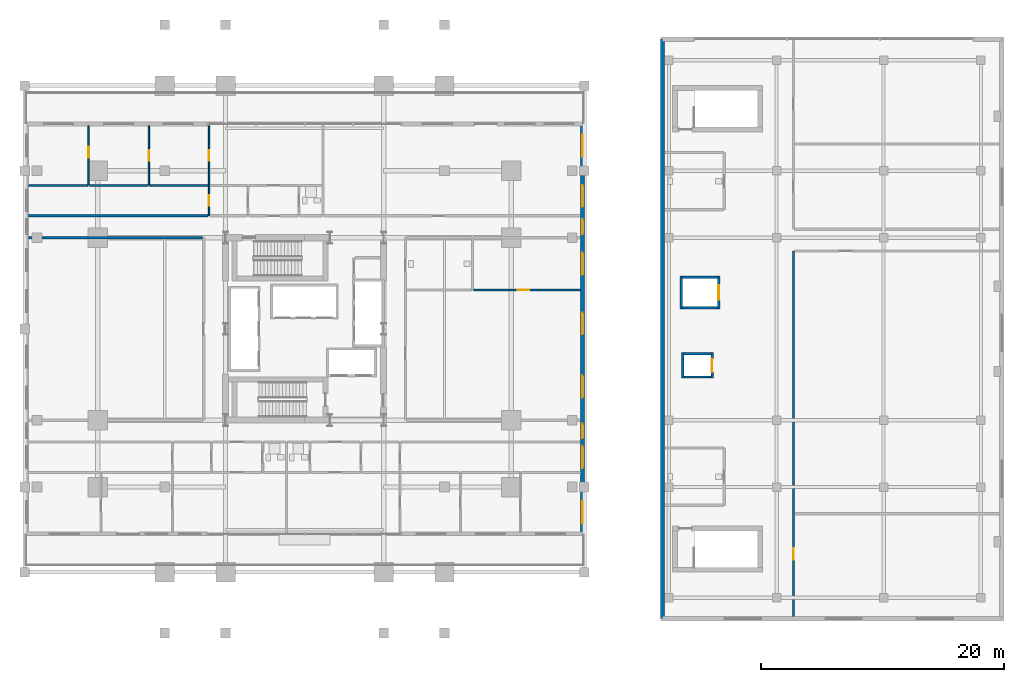
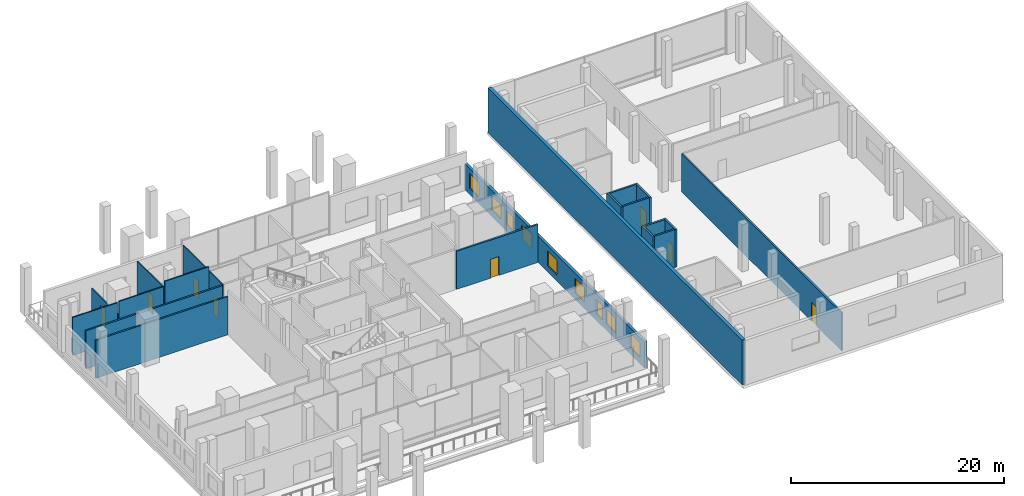
# One storey, part 19 of 25: 20 walls, 9 windows, 8 doors, 17 openings.
"""IFC4 building model written with IfcOpenShell, lengths in metres."""

from ifc_helpers import new_model, si_unit, direction, frame, frame_2d, origin, place, context, subcontext, project, spatial, rectangle, extrude, material, layer, layer_set, type_object, element, fill, save


model = new_model("IFC4")

# Units and contexts
model_context = context("Model", 3, precision=1e-05, world=origin(), true_north=direction((0.0, 1.0)))
body_context = subcontext(model_context, "Body", "Model", "MODEL_VIEW")
ifc_project = project(units=[si_unit("LENGTHUNIT", "METRE"), si_unit("AREAUNIT", "SQUARE_METRE"), si_unit("VOLUMEUNIT", "CUBIC_METRE"), si_unit("PLANEANGLEUNIT", "RADIAN"), si_unit("MASSUNIT", "GRAM", prefix="KILO")], contexts=[model_context])

# Site, building, storey
site_placement = place(None, origin())
site = spatial("IfcSite", under=ifc_project, at=site_placement, CompositionType="ELEMENT")
building_placement = place(site_placement, origin())
building = spatial("IfcBuilding", under=site, at=building_placement, Name="Barlavira Tower and Art Museum", CompositionType="ELEMENT")
storey_placement = place(building_placement, frame((0.0, 0.0, 22.199951171875)))
storey = spatial("IfcBuildingStorey", under=building, at=storey_placement, Name="L04", CompositionType="ELEMENT", Elevation=22.199951171875)

# Wall, opening, door
ifc_material_1 = material(Name="Gypsum acoustic stud partition", Category="gypsum")
ifc_layer_1 = layer(ifc_material_1, 0.1201171875, Name="Gypsum acoustic stud partition")
ifc_layer_set_1 = layer_set([ifc_layer_1], Name="Gypsum acoustic stud partition")
wall_type_1 = type_object("IfcWallType", Name="Apartment Internal Acoustic Partition 120", PredefinedType="PARTITIONING", material=ifc_layer_set_1)
wall_1_placement = place(storey_placement, frame((-17.75, 11.820068359375, 0.0), z_axis=(0.0, 0.0, 1.0), x_axis=(0.0, 1.0, 0.0)))
wall_1 = element("IfcWall", 1, at=wall_1_placement, inside=storey, type_object=wall_type_1, Name="L04 Partition Wall 1", PredefinedType="PARTITIONING", context=body_context, shape_type="SweptSolid", body=[
    extrude(rectangle(XDim=4.875, YDim=0.1201171875, at=frame_2d((2.4375, 0.0))), origin(), (0.0, 0.0, 1.0), 2.985107421875),
])
opening_1_placement = place(wall_1_placement, frame((2.25439453125, 0.0, 0.0)))
opening_1 = element("IfcOpeningElement", 2, at=opening_1_placement, cuts=wall_1, Name="Opening D-01", PredefinedType="OPENING", context=body_context, shape_type="SweptSolid", body=[
    extrude(rectangle(XDim=0.89990234375, YDim=2.10009765625, at=frame_2d((0.449951171875, 1.050048828125))), frame((0.0, 0.070068359375, 0.0), z_axis=(0.0, -1.0, 0.0), x_axis=(1.0, 0.0, 0.0)), (0.0, 0.0, 1.0), 0.14013671875),
])
ifc_material_2 = material(Name="Engineered coastal hardwood", Category="wood")
door_type_1 = type_object("IfcDoorType", Name="Internal Bedroom Timber Flush Door 900x2100", OperationType="NOTDEFINED", PredefinedType="DOOR", material=ifc_material_2)
door_1_placement = place(opening_1_placement, origin())
door_1 = element("IfcDoor", 3, at=door_1_placement, inside=storey, type_object=door_type_1, Name="Apartment P4-NW Sunroom Lounge 3 Door", OperationType="SINGLE_SWING_RIGHT", OverallHeight=2.10009765625, OverallWidth=0.89990234375, PredefinedType="DOOR", context=body_context, shape_type="SweptSolid", body=[
    extrude(rectangle(XDim=0.89990234375, YDim=2.10009765625, at=frame_2d((0.449951171875, 1.050048828125))), frame((0.0, 0.02490234375, 0.0), z_axis=(0.0, -1.0, 0.0), x_axis=(1.0, 0.0, 0.0)), (0.0, 0.0, 1.0), 0.050048828125),
])
fill(opening_1, door_1)

wall_2_placement = place(storey_placement, frame((-12.800048828125, 11.820068359375, 0.0), z_axis=(0.0, 0.0, 1.0), x_axis=(0.0, 1.0, 0.0)))
wall_2 = element("IfcWall", 4, at=wall_2_placement, inside=storey, type_object=wall_type_1, Name="L04 Partition Wall 3", PredefinedType="PARTITIONING", context=body_context, shape_type="SweptSolid", body=[
    extrude(rectangle(XDim=4.875, YDim=0.1201171875, at=frame_2d((2.4375, 0.0))), origin(), (0.0, 0.0, 1.0), 4.35595703125),
])
opening_2_placement = place(wall_2_placement, frame((1.989990234375, 0.0, 0.0)))
opening_2 = element("IfcOpeningElement", 5, at=opening_2_placement, cuts=wall_2, Name="Opening D-01", PredefinedType="OPENING", context=body_context, shape_type="SweptSolid", body=[
    extrude(rectangle(XDim=0.89990234375, YDim=2.10009765625, at=frame_2d((0.449951171875, 1.050048828125))), frame((0.0, 0.070068359375, 0.0), z_axis=(0.0, -1.0, 0.0), x_axis=(1.0, 0.0, 0.0)), (0.0, 0.0, 1.0), 0.14013671875),
])
door_2_placement = place(opening_2_placement, origin())
door_2 = element("IfcDoor", 6, at=door_2_placement, inside=storey, type_object=door_type_1, Name="Apartment P4-NW Bedroom 2 Door", OperationType="SINGLE_SWING_LEFT", OverallHeight=2.10009765625, OverallWidth=0.89990234375, PredefinedType="DOOR", context=body_context, shape_type="SweptSolid", body=[
    extrude(rectangle(XDim=0.89990234375, YDim=2.10009765625, at=frame_2d((0.449951171875, 1.050048828125))), frame((0.0, 0.02490234375, 0.0), z_axis=(0.0, -1.0, 0.0), x_axis=(1.0, 0.0, 0.0)), (0.0, 0.0, 1.0), 0.050048828125),
])
fill(opening_2, door_2)

# Wall, openings, doors
wall_3_placement = place(storey_placement, frame((-7.85009765625, 9.300048828125, 0.0), z_axis=(0.0, 0.0, 1.0), x_axis=(0.0, 1.0, 0.0)))
wall_3 = element("IfcWall", 7, at=wall_3_placement, inside=storey, type_object=wall_type_1, Name="L04 Partition Wall 6", PredefinedType="PARTITIONING", context=body_context, shape_type="SweptSolid", body=[
    extrude(rectangle(XDim=7.39501953125, YDim=0.1201171875, at=frame_2d((3.697509765625, 0.0))), origin(), (0.0, 0.0, 1.0), 4.43603515625),
])
opening_3_placement = place(wall_3_placement, frame((0.81005859375, 0.0, 0.0)))
opening_3 = element("IfcOpeningElement", 8, at=opening_3_placement, cuts=wall_3, Name="Opening D-01", PredefinedType="OPENING", context=body_context, shape_type="SweptSolid", body=[
    extrude(rectangle(XDim=0.89990234375, YDim=2.10009765625, at=frame_2d((0.449951171875, 1.050048828125))), frame((0.0, 0.070068359375, 0.0), z_axis=(0.0, -1.0, 0.0), x_axis=(1.0, 0.0, 0.0)), (0.0, 0.0, 1.0), 0.14013671875),
])
opening_4_placement = place(wall_3_placement, frame((4.510009765625, 0.0, 0.0)))
opening_4 = element("IfcOpeningElement", 9, at=opening_4_placement, cuts=wall_3, Name="Opening D-01", PredefinedType="OPENING", context=body_context, shape_type="SweptSolid", body=[
    extrude(rectangle(XDim=0.89990234375, YDim=2.10009765625, at=frame_2d((0.449951171875, 1.050048828125))), frame((0.0, 0.070068359375, 0.0), z_axis=(0.0, -1.0, 0.0), x_axis=(1.0, 0.0, 0.0)), (0.0, 0.0, 1.0), 0.14013671875),
])
door_3_placement = place(opening_3_placement, origin())
door_3 = element("IfcDoor", 10, at=door_3_placement, inside=storey, type_object=door_type_1, Name="Apartment P4-NW Walk-In Dressing Room Door", OperationType="SINGLE_SWING_RIGHT", OverallHeight=2.10009765625, OverallWidth=0.89990234375, PredefinedType="DOOR", context=body_context, shape_type="SweptSolid", body=[
    extrude(rectangle(XDim=0.89990234375, YDim=2.10009765625, at=frame_2d((0.449951171875, 1.050048828125))), frame((0.0, 0.02490234375, 0.0), z_axis=(0.0, -1.0, 0.0), x_axis=(1.0, 0.0, 0.0)), (0.0, 0.0, 1.0), 0.050048828125),
])
fill(opening_3, door_3)
door_4_placement = place(opening_4_placement, origin())
door_4 = element("IfcDoor", 11, at=door_4_placement, inside=storey, type_object=door_type_1, Name="Apartment P4-NW Bedroom 1 Door", OperationType="SINGLE_SWING_RIGHT", OverallHeight=2.10009765625, OverallWidth=0.89990234375, PredefinedType="DOOR", context=body_context, shape_type="SweptSolid", body=[
    extrude(rectangle(XDim=0.89990234375, YDim=2.10009765625, at=frame_2d((0.449951171875, 1.050048828125))), frame((0.0, 0.02490234375, 0.0), z_axis=(0.0, -1.0, 0.0), x_axis=(1.0, 0.0, 0.0)), (0.0, 0.0, 1.0), 0.050048828125),
])
fill(opening_4, door_4)

# Wall, opening, door
ifc_material_3 = material(Name="Autoclaved aerated concrete masonry", Category="masonry")
ifc_layer_2 = layer(ifc_material_3, 0.199951171875, Name="Autoclaved aerated concrete masonry")
ifc_layer_set_2 = layer_set([ifc_layer_2], Name="Autoclaved aerated concrete masonry")
wall_type_2 = type_object("IfcWallType", Name="Fire Compartment and Shaft Wall 200", PredefinedType="SOLIDWALL", material=ifc_layer_set_2)
wall_4_placement = place(storey_placement, frame((33.5, -4.050048828125, 0.0), z_axis=(0.0, 0.0, 1.0), x_axis=(0.0, 1.0, 0.0)))
wall_4 = element("IfcWall", 12, at=wall_4_placement, inside=storey, type_object=wall_type_2, Name="L04 Museum Lift ML1 Front Wall", PredefinedType="SOLIDWALL", context=body_context, shape_type="SweptSolid", body=[
    extrude(rectangle(XDim=2.10009765625, YDim=0.199951171875, at=frame_2d((1.050048828125, 0.0))), origin(), (0.0, 0.0, 1.0), 4.34716796875),
])
opening_5_placement = place(wall_4_placement, frame((0.5, 0.0, 0.0)))
opening_5 = element("IfcOpeningElement", 13, at=opening_5_placement, cuts=wall_4, Name="Opening LD-P", PredefinedType="OPENING", context=body_context, shape_type="SweptSolid", body=[
    extrude(rectangle(XDim=1.10009765625, YDim=2.14990234375, at=frame_2d((0.550048828125, 1.074951171875))), frame((0.0, 0.10986328125, 0.0), z_axis=(0.0, -1.0, 0.0), x_axis=(1.0, 0.0, 0.0)), (0.0, 0.0, 1.0), 0.219970703125),
])
ifc_material_4 = material(Name="Brushed stainless steel", Category="steel")
door_type_2 = type_object("IfcDoorType", Name="Passenger Lift Sliding Landing Door 1100x2150 FD60", OperationType="NOTDEFINED", PredefinedType="DOOR", material=ifc_material_4)
door_5_placement = place(opening_5_placement, origin())
door_5 = element("IfcDoor", 14, at=door_5_placement, inside=storey, type_object=door_type_2, Name="L04 Museum Lift ML1 Sliding Landing Door", OperationType="DOUBLE_DOOR_SLIDING", OverallHeight=2.14990234375, OverallWidth=1.10009765625, PredefinedType="DOOR", context=body_context, shape_type="SweptSolid", body=[
    extrude(rectangle(XDim=1.10009765625, YDim=2.14990234375, at=frame_2d((0.550048828125, 1.074951171875))), frame((0.0, 0.02490234375, 0.0), z_axis=(0.0, -1.0, 0.0), x_axis=(1.0, 0.0, 0.0)), (0.0, 0.0, 1.0), 0.050048828125),
])
fill(opening_5, door_5)

# Walls
wall_5_placement = place(storey_placement, frame((31.10009765625, -4.050048828125, 0.0), z_axis=(0.0, 0.0, 1.0), x_axis=(0.0, 1.0, 0.0)))
element("IfcWall", 15, at=wall_5_placement, inside=storey, type_object=wall_type_2, Name="L04 Museum Lift ML1 Back Wall", PredefinedType="SOLIDWALL", context=body_context, shape_type="SweptSolid", body=[
    extrude(rectangle(XDim=2.10009765625, YDim=0.199951171875, at=frame_2d((1.050048828125, 0.0))), origin(), (0.0, 0.0, 1.0), 4.34716796875),
])
for number, where, z_axis, x_axis, name in (
    (16, (31.199951171875, -3.949951171875, 0.0), (0.0, 0.0, 1.0), (1.0, 0.0, 0.0), "L04 Museum Lift ML1 South Wall"),
    (17, (31.199951171875, -2.050048828125, 0.0), (0.0, 0.0, 1.0), (1.0, 0.0, 0.0), "L04 Museum Lift ML1 North Wall"),
):
    element("IfcWall", number, at=place(storey_placement, frame(where, z_axis=z_axis, x_axis=x_axis)), inside=storey, type_object=wall_type_2, Name=name, PredefinedType="SOLIDWALL", context=body_context, shape_type="SweptSolid", body=[
        extrude(rectangle(XDim=2.199951171875, YDim=0.199951171875, at=frame_2d((1.10009765625, 0.0))), origin(), (0.0, 0.0, 1.0), 4.34716796875),
    ])

# Wall, opening, door
wall_6_placement = place(storey_placement, frame((34.050048828125, 1.64990234375, 0.0), z_axis=(0.0, 0.0, 1.0), x_axis=(0.0, 1.0, 0.0)))
wall_6 = element("IfcWall", 18, at=wall_6_placement, inside=storey, type_object=wall_type_2, Name="L04 Museum Lift MG1 Front Wall", PredefinedType="SOLIDWALL", context=body_context, shape_type="SweptSolid", body=[
    extrude(rectangle(XDim=2.7001953125, YDim=0.199951171875, at=frame_2d((1.35009765625, 0.0))), origin(), (0.0, 0.0, 1.0), 4.34716796875),
])
opening_6_placement = place(wall_6_placement, frame((0.75, 0.0, 0.0)))
opening_6 = element("IfcOpeningElement", 19, at=opening_6_placement, cuts=wall_6, Name="Opening LD-F", PredefinedType="OPENING", context=body_context, shape_type="SweptSolid", body=[
    extrude(rectangle(XDim=1.199951171875, YDim=2.199951171875, at=frame_2d((0.60009765625, 1.10009765625))), frame((0.0, 0.10986328125, 0.0), z_axis=(0.0, -1.0, 0.0), x_axis=(1.0, 0.0, 0.0)), (0.0, 0.0, 1.0), 0.219970703125),
])
door_type_3 = type_object("IfcDoorType", Name="Firefighting and Service Lift Sliding Door 1200x2200 FD120", OperationType="NOTDEFINED", PredefinedType="DOOR", material=ifc_material_4)
door_6_placement = place(opening_6_placement, origin())
door_6 = element("IfcDoor", 20, at=door_6_placement, inside=storey, type_object=door_type_3, Name="L04 Museum Lift MG1 Sliding Landing Door", OperationType="DOUBLE_DOOR_SLIDING", OverallHeight=2.199951171875, OverallWidth=1.199951171875, PredefinedType="DOOR", context=body_context, shape_type="SweptSolid", body=[
    extrude(rectangle(XDim=1.199951171875, YDim=2.199951171875, at=frame_2d((0.60009765625, 1.10009765625))), frame((0.0, 0.02490234375, 0.0), z_axis=(0.0, -1.0, 0.0), x_axis=(1.0, 0.0, 0.0)), (0.0, 0.0, 1.0), 0.050048828125),
])
fill(opening_6, door_6)

# Walls
wall_7_placement = place(storey_placement, frame((30.949951171875, 1.64990234375, 0.0), z_axis=(0.0, 0.0, 1.0), x_axis=(0.0, 1.0, 0.0)))
element("IfcWall", 21, at=wall_7_placement, inside=storey, type_object=wall_type_2, Name="L04 Museum Lift MG1 Back Wall", PredefinedType="SOLIDWALL", context=body_context, shape_type="SweptSolid", body=[
    extrude(rectangle(XDim=2.7001953125, YDim=0.199951171875, at=frame_2d((1.35009765625, 0.0))), origin(), (0.0, 0.0, 1.0), 4.34716796875),
])
for number, where, z_axis, x_axis, name in (
    (22, (31.050048828125, 1.75, 0.0), (0.0, 0.0, 1.0), (1.0, 0.0, 0.0), "L04 Museum Lift MG1 South Wall"),
    (23, (31.050048828125, 4.25, 0.0), (0.0, 0.0, 1.0), (1.0, 0.0, 0.0), "L04 Museum Lift MG1 North Wall"),
):
    element("IfcWall", number, at=place(storey_placement, frame(where, z_axis=z_axis, x_axis=x_axis)), inside=storey, type_object=wall_type_2, Name=name, PredefinedType="SOLIDWALL", context=body_context, shape_type="SweptSolid", body=[
        extrude(rectangle(XDim=2.89990234375, YDim=0.199951171875, at=frame_2d((1.449951171875, 0.0))), origin(), (0.0, 0.0, 1.0), 4.34716796875),
    ])

# Wall, opening, door
wall_8_placement = place(storey_placement, frame((13.8798828125, 3.199951171875, 0.0), z_axis=(0.0, 0.0, 1.0), x_axis=(1.0, 0.0, 0.0)))
wall_8 = element("IfcWall", 24, at=wall_8_placement, inside=storey, type_object=wall_type_2, Name="L04 Partition Wall 50", PredefinedType="SOLIDWALL", context=body_context, shape_type="SweptSolid", body=[
    extrude(rectangle(XDim=8.815185546875, YDim=0.199951171875, at=frame_2d((4.40771484375, 0.0))), origin(), (0.0, 0.0, 1.0), 4.35595703125),
])
opening_7_placement = place(wall_8_placement, frame((3.64501953125, 0.0, 0.0)))
opening_7 = element("IfcOpeningElement", 25, at=opening_7_placement, cuts=wall_8, Name="Opening FD-60", PredefinedType="OPENING", context=body_context, shape_type="SweptSolid", body=[
    extrude(rectangle(XDim=0.949951171875, YDim=2.14990234375, at=frame_2d((0.47509765625, 1.074951171875))), frame((0.0, 0.10986328125, 0.0), z_axis=(0.0, -1.0, 0.0), x_axis=(1.0, 0.0, 0.0)), (0.0, 0.0, 1.0), 0.219970703125),
])
door_type_4 = type_object("IfcDoorType", Name="Apartment Entrance and Riser Fire Door 950x2150 FD60S", OperationType="NOTDEFINED", PredefinedType="DOOR", material=ifc_material_4)
door_7_placement = place(opening_7_placement, origin())
door_7 = element("IfcDoor", 26, at=door_7_placement, inside=storey, type_object=door_type_4, Name="L04 Podium Amenity Store Door", OperationType="SINGLE_SWING_LEFT", OverallHeight=2.14990234375, OverallWidth=0.949951171875, PredefinedType="DOOR", context=body_context, shape_type="SweptSolid", body=[
    extrude(rectangle(XDim=0.949951171875, YDim=2.14990234375, at=frame_2d((0.47509765625, 1.074951171875))), frame((0.0, 0.02490234375, 0.0), z_axis=(0.0, -1.0, 0.0), x_axis=(1.0, 0.0, 0.0)), (0.0, 0.0, 1.0), 0.050048828125),
])
fill(opening_7, door_7)

ifc_layer_3 = layer(ifc_material_1, 0.179931640625, Name="Gypsum acoustic stud partition")
ifc_layer_set_3 = layer_set([ifc_layer_3], Name="Gypsum acoustic stud partition")
wall_type_3 = type_object("IfcWallType", Name="Inter-Tenancy Party Partition Wall 180", PredefinedType="PARTITIONING", material=ifc_layer_set_3)
wall_9_placement = place(storey_placement, frame((40.199951171875, -23.64501953125, 0.0), z_axis=(0.0, 0.0, 1.0), x_axis=(0.0, 1.0, 0.0)))
wall_9 = element("IfcWall", 27, at=wall_9_placement, inside=storey, type_object=wall_type_3, Name="L04 Partition Wall 23", PredefinedType="PARTITIONING", context=body_context, shape_type="SweptSolid", body=[
    extrude(rectangle(XDim=30.044921875, YDim=0.179931640625, at=frame_2d((15.0224609375, 0.0))), origin(), (0.0, 0.0, 1.0), 4.34716796875),
])
opening_8_placement = place(wall_9_placement, frame((4.669921875, 0.0, 0.0)))
opening_8 = element("IfcOpeningElement", 28, at=opening_8_placement, cuts=wall_9, Name="Opening FD-60", PredefinedType="OPENING", context=body_context, shape_type="SweptSolid", body=[
    extrude(rectangle(XDim=0.949951171875, YDim=2.14990234375, at=frame_2d((0.47509765625, 1.074951171875))), frame((0.0, 0.10009765625, 0.0), z_axis=(0.0, -1.0, 0.0), x_axis=(1.0, 0.0, 0.0)), (0.0, 0.0, 1.0), 0.199951171875),
])
door_8_placement = place(opening_8_placement, origin())
door_8 = element("IfcDoor", 29, at=door_8_placement, inside=storey, type_object=door_type_4, Name="L04 Curatorial Members Dining Room Door", OperationType="SINGLE_SWING_LEFT", OverallHeight=2.14990234375, OverallWidth=0.949951171875, PredefinedType="DOOR", context=body_context, shape_type="SweptSolid", body=[
    extrude(rectangle(XDim=0.949951171875, YDim=2.14990234375, at=frame_2d((0.47509765625, 1.074951171875))), frame((0.0, 0.02490234375, 0.0), z_axis=(0.0, -1.0, 0.0), x_axis=(1.0, 0.0, 0.0)), (0.0, 0.0, 1.0), 0.050048828125),
])
fill(opening_8, door_8)

# Walls
wall_10_placement = place(storey_placement, frame((-22.695068359375, 7.5, 0.0), z_axis=(0.0, 0.0, 1.0), x_axis=(1.0, 0.0, 0.0)))
element("IfcWall", 30, at=wall_10_placement, inside=storey, type_object=wall_type_3, Name="L04 Partition Wall 53", PredefinedType="PARTITIONING", context=body_context, shape_type="SweptSolid", body=[
    extrude(rectangle(XDim=14.315185546875, YDim=0.179931640625, at=frame_2d((7.15771484375, 0.0))), origin(), (0.0, 0.0, 1.0), 4.35595703125),
])
wall_11_placement = place(storey_placement, frame((-22.695068359375, 9.300048828125, 0.0), z_axis=(0.0, 0.0, 1.0), x_axis=(1.0, 0.0, 0.0)))
element("IfcWall", 31, at=wall_11_placement, inside=storey, type_object=wall_type_3, Name="L04 Partition Wall 57", PredefinedType="PARTITIONING", context=body_context, shape_type="SweptSolid", body=[
    extrude(rectangle(XDim=14.76513671875, YDim=0.179931640625, at=frame_2d((7.382568359375, 0.0))), origin(), (0.0, 0.0, 1.0), 4.35595703125),
])
ifc_layer_4 = layer(ifc_material_1, 0.139892578125, Name="Gypsum acoustic stud partition")
ifc_layer_set_4 = layer_set([ifc_layer_4], Name="Gypsum acoustic stud partition")
wall_type_4 = type_object("IfcWallType", Name="Moisture-Resistant Bathroom Partition 140", PredefinedType="PARTITIONING", material=ifc_layer_set_4)
wall_12_placement = place(storey_placement, frame((-22.695068359375, 11.800048828125, 0.0), z_axis=(0.0, 0.0, 1.0), x_axis=(1.0, 0.0, 0.0)))
element("IfcWall", 32, at=wall_12_placement, inside=storey, type_object=wall_type_4, Name="L04 Partition Wall 63", PredefinedType="PARTITIONING", context=body_context, shape_type="SweptSolid", body=[
    extrude(rectangle(XDim=4.864990234375, YDim=0.139892578125, at=frame_2d((2.4326171875, 0.0))), origin(), (0.0, 0.0, 1.0), 4.35595703125),
])
wall_13_placement = place(storey_placement, frame((-17.669921875, 11.800048828125, 0.0), z_axis=(0.0, 0.0, 1.0), x_axis=(1.0, 0.0, 0.0)))
element("IfcWall", 33, at=wall_13_placement, inside=storey, type_object=wall_type_4, Name="L04 Partition Wall 64", PredefinedType="PARTITIONING", context=body_context, shape_type="SweptSolid", body=[
    extrude(rectangle(XDim=4.7900390625, YDim=0.139892578125, at=frame_2d((2.39501953125, 0.0))), origin(), (0.0, 0.0, 1.0), 4.43603515625),
])
wall_14_placement = place(storey_placement, frame((-12.719970703125, 11.800048828125, 0.0), z_axis=(0.0, 0.0, 1.0), x_axis=(1.0, 0.0, 0.0)))
element("IfcWall", 34, at=wall_14_placement, inside=storey, type_object=wall_type_4, Name="L04 Partition Wall 65", PredefinedType="PARTITIONING", context=body_context, shape_type="SweptSolid", body=[
    extrude(rectangle(XDim=4.7900390625, YDim=0.139892578125, at=frame_2d((2.39501953125, 0.0))), origin(), (0.0, 0.0, 1.0), 5.0),
])
ifc_material_5 = material(Name="Precast concrete C40", Category="concrete")
ifc_layer_5 = layer(ifc_material_5, 0.35009765625, Name="Precast concrete C40")
ifc_layer_set_5 = layer_set([ifc_layer_5], Name="Precast concrete C40")
wall_type_5 = type_object("IfcWallType", Name="Museum Board-Formed Concrete Facade Wall 350 Concrete C40", PredefinedType="SOLIDWALL", material=ifc_layer_set_5)
wall_15_placement = place(storey_placement, frame((29.425048828125, 23.824951171875, 0.0), z_axis=(0.0, 0.0, 1.0), x_axis=(0.0, -1.0, 0.0)))
element("IfcWall", 35, at=wall_15_placement, inside=storey, type_object=wall_type_5, Name="L04 Museum West Arcade Wall", PredefinedType="SOLIDWALL", context=body_context, shape_type="SweptSolid", body=[
    extrude(rectangle(XDim=47.64990234375, YDim=0.35009765625, at=frame_2d((23.824951171875, 0.0))), origin(), (0.0, 0.0, 1.0), 5.130126953125),
])

# Wall, openings, windows
ifc_layer_6 = layer(ifc_material_5, 0.300048828125, Name="Precast concrete C40")
ifc_layer_set_6 = layer_set([ifc_layer_6], Name="Precast concrete C40")
wall_type_6 = type_object("IfcWallType", Name="Podium Architectural Precast Facade Wall 300 Concrete C40", PredefinedType="SOLIDWALL", material=ifc_layer_set_6)
wall_16_placement = place(storey_placement, frame((22.85009765625, -16.85009765625, 0.0), z_axis=(0.0, 0.0, 1.0), x_axis=(0.0, 1.0, 0.0)))
wall_16 = element("IfcWall", 36, at=wall_16_placement, inside=storey, type_object=wall_type_6, Name="L04 Podium East Facade Wall", PredefinedType="SOLIDWALL", context=body_context, shape_type="SweptSolid", body=[
    extrude(rectangle(XDim=33.7001953125, YDim=0.300048828125, at=frame_2d((16.85009765625, 0.0))), origin(), (0.0, 0.0, 1.0), 2.985107421875),
])
opening_9_placement = place(wall_16_placement, frame((0.8798828125, 0.0, 0.719970703125)))
opening_9 = element("IfcOpeningElement", 37, at=opening_9_placement, cuts=wall_16, Name="Opening WN-01", PredefinedType="OPENING", context=body_context, shape_type="SweptSolid", body=[
    extrude(rectangle(XDim=1.800048828125, YDim=1.679931640625, at=frame_2d((0.89990234375, 0.83984375))), frame((0.0, 0.16015625, 0.0), z_axis=(0.0, -1.0, 0.0), x_axis=(1.0, 0.0, 0.0)), (0.0, 0.0, 1.0), 0.320068359375),
])
opening_10_placement = place(wall_16_placement, frame((5.389892578125, 0.0, 0.719970703125)))
opening_10 = element("IfcOpeningElement", 38, at=opening_10_placement, cuts=wall_16, Name="Opening WN-01", PredefinedType="OPENING", context=body_context, shape_type="SweptSolid", body=[
    extrude(rectangle(XDim=1.800048828125, YDim=1.679931640625, at=frame_2d((0.89990234375, 0.83984375))), frame((0.0, 0.16015625, 0.0), z_axis=(0.0, -1.0, 0.0), x_axis=(1.0, 0.0, 0.0)), (0.0, 0.0, 1.0), 0.320068359375),
])
opening_11_placement = place(wall_16_placement, frame((7.85009765625, 0.0, 0.719970703125)))
opening_11 = element("IfcOpeningElement", 39, at=opening_11_placement, cuts=wall_16, Name="Opening WN-05", PredefinedType="OPENING", context=body_context, shape_type="SweptSolid", body=[
    extrude(rectangle(XDim=1.199951171875, YDim=1.679931640625, at=frame_2d((0.60009765625, 0.83984375))), frame((0.0, 0.16015625, 0.0), z_axis=(0.0, -1.0, 0.0), x_axis=(1.0, 0.0, 0.0)), (0.0, 0.0, 1.0), 0.320068359375),
])
opening_12_placement = place(wall_16_placement, frame((11.205078125, 0.0, 0.719970703125)))
opening_12 = element("IfcOpeningElement", 40, at=opening_12_placement, cuts=wall_16, Name="Opening WN-01", PredefinedType="OPENING", context=body_context, shape_type="SweptSolid", body=[
    extrude(rectangle(XDim=1.800048828125, YDim=1.679931640625, at=frame_2d((0.89990234375, 0.83984375))), frame((0.0, 0.16015625, 0.0), z_axis=(0.0, -1.0, 0.0), x_axis=(1.0, 0.0, 0.0)), (0.0, 0.0, 1.0), 0.320068359375),
])
opening_13_placement = place(wall_16_placement, frame((16.39501953125, 0.0, 0.719970703125)))
opening_13 = element("IfcOpeningElement", 41, at=opening_13_placement, cuts=wall_16, Name="Opening WN-01", PredefinedType="OPENING", context=body_context, shape_type="SweptSolid", body=[
    extrude(rectangle(XDim=1.800048828125, YDim=1.679931640625, at=frame_2d((0.89990234375, 0.83984375))), frame((0.0, 0.16015625, 0.0), z_axis=(0.0, -1.0, 0.0), x_axis=(1.0, 0.0, 0.0)), (0.0, 0.0, 1.0), 0.320068359375),
])
opening_14_placement = place(wall_16_placement, frame((21.300048828125, 0.0, 0.719970703125)))
opening_14 = element("IfcOpeningElement", 42, at=opening_14_placement, cuts=wall_16, Name="Opening WN-01", PredefinedType="OPENING", context=body_context, shape_type="SweptSolid", body=[
    extrude(rectangle(XDim=1.800048828125, YDim=1.679931640625, at=frame_2d((0.89990234375, 0.83984375))), frame((0.0, 0.16015625, 0.0), z_axis=(0.0, -1.0, 0.0), x_axis=(1.0, 0.0, 0.0)), (0.0, 0.0, 1.0), 0.320068359375),
])
opening_15_placement = place(wall_16_placement, frame((24.64990234375, 0.0, 0.719970703125)))
opening_15 = element("IfcOpeningElement", 43, at=opening_15_placement, cuts=wall_16, Name="Opening WN-05", PredefinedType="OPENING", context=body_context, shape_type="SweptSolid", body=[
    extrude(rectangle(XDim=1.199951171875, YDim=1.679931640625, at=frame_2d((0.60009765625, 0.83984375))), frame((0.0, 0.16015625, 0.0), z_axis=(0.0, -1.0, 0.0), x_axis=(1.0, 0.0, 0.0)), (0.0, 0.0, 1.0), 0.320068359375),
])
opening_16_placement = place(wall_16_placement, frame((26.8798828125, 0.0, 0.719970703125)))
opening_16 = element("IfcOpeningElement", 44, at=opening_16_placement, cuts=wall_16, Name="Opening WN-01", PredefinedType="OPENING", context=body_context, shape_type="SweptSolid", body=[
    extrude(rectangle(XDim=1.800048828125, YDim=1.679931640625, at=frame_2d((0.89990234375, 0.83984375))), frame((0.0, 0.16015625, 0.0), z_axis=(0.0, -1.0, 0.0), x_axis=(1.0, 0.0, 0.0)), (0.0, 0.0, 1.0), 0.320068359375),
])
opening_17_placement = place(wall_16_placement, frame((31.02001953125, 0.0, 0.719970703125)))
opening_17 = element("IfcOpeningElement", 45, at=opening_17_placement, cuts=wall_16, Name="Opening WN-01", PredefinedType="OPENING", context=body_context, shape_type="SweptSolid", body=[
    extrude(rectangle(XDim=1.800048828125, YDim=1.679931640625, at=frame_2d((0.89990234375, 0.83984375))), frame((0.0, 0.16015625, 0.0), z_axis=(0.0, -1.0, 0.0), x_axis=(1.0, 0.0, 0.0)), (0.0, 0.0, 1.0), 0.320068359375),
])
ifc_material_6 = material(Name="Low-iron coastal laminated glass", Category="glass")
window_type_1 = type_object("IfcWindowType", Name="Recessed Flank Pier Punch Window 1200x1680", PartitioningType="SINGLE_PANEL", PredefinedType="WINDOW", material=ifc_material_6)
window_1_placement = place(opening_11_placement, origin())
window_1 = element("IfcWindow", 46, at=window_1_placement, inside=storey, type_object=window_type_1, Name="L04 Punched Facade Window EW-L04-E-3", OverallHeight=1.679931640625, OverallWidth=1.199951171875, PartitioningType="SINGLE_PANEL", PredefinedType="WINDOW", context=body_context, shape_type="SweptSolid", body=[
    extrude(rectangle(XDim=1.199951171875, YDim=1.679931640625, at=frame_2d((0.60009765625, 0.83984375))), frame((0.0, 0.030029296875, 0.0), z_axis=(0.0, -1.0, 0.0), x_axis=(1.0, 0.0, 0.0)), (0.0, 0.0, 1.0), 0.06005859375),
])
fill(opening_11, window_1)
window_2_placement = place(opening_15_placement, origin())
window_2 = element("IfcWindow", 47, at=window_2_placement, inside=storey, type_object=window_type_1, Name="L04 Punched Facade Window EW-L04-E-7", OverallHeight=1.679931640625, OverallWidth=1.199951171875, PartitioningType="SINGLE_PANEL", PredefinedType="WINDOW", context=body_context, shape_type="SweptSolid", body=[
    extrude(rectangle(XDim=1.199951171875, YDim=1.679931640625, at=frame_2d((0.60009765625, 0.83984375))), frame((0.0, 0.030029296875, 0.0), z_axis=(0.0, -1.0, 0.0), x_axis=(1.0, 0.0, 0.0)), (0.0, 0.0, 1.0), 0.06005859375),
])
fill(opening_15, window_2)
window_type_2 = type_object("IfcWindowType", Name="Recessed Notch Corner Punch Window 1800x1680", PartitioningType="SINGLE_PANEL", PredefinedType="WINDOW", material=ifc_material_6)
window_3_placement = place(opening_9_placement, origin())
window_3 = element("IfcWindow", 48, at=window_3_placement, inside=storey, type_object=window_type_2, Name="L04 Punched Facade Window EW-L04-E-1", OverallHeight=1.679931640625, OverallWidth=1.800048828125, PartitioningType="SINGLE_PANEL", PredefinedType="WINDOW", context=body_context, shape_type="SweptSolid", body=[
    extrude(rectangle(XDim=1.800048828125, YDim=1.679931640625, at=frame_2d((0.89990234375, 0.83984375))), frame((0.0, 0.030029296875, 0.0), z_axis=(0.0, -1.0, 0.0), x_axis=(1.0, 0.0, 0.0)), (0.0, 0.0, 1.0), 0.06005859375),
])
fill(opening_9, window_3)
window_4_placement = place(opening_10_placement, origin())
window_4 = element("IfcWindow", 49, at=window_4_placement, inside=storey, type_object=window_type_2, Name="L04 Punched Facade Window EW-L04-E-2", OverallHeight=1.679931640625, OverallWidth=1.800048828125, PartitioningType="SINGLE_PANEL", PredefinedType="WINDOW", context=body_context, shape_type="SweptSolid", body=[
    extrude(rectangle(XDim=1.800048828125, YDim=1.679931640625, at=frame_2d((0.89990234375, 0.83984375))), frame((0.0, 0.030029296875, 0.0), z_axis=(0.0, -1.0, 0.0), x_axis=(1.0, 0.0, 0.0)), (0.0, 0.0, 1.0), 0.06005859375),
])
fill(opening_10, window_4)
window_5_placement = place(opening_12_placement, origin())
window_5 = element("IfcWindow", 50, at=window_5_placement, inside=storey, type_object=window_type_2, Name="L04 Punched Facade Window EW-L04-E-4", OverallHeight=1.679931640625, OverallWidth=1.800048828125, PartitioningType="SINGLE_PANEL", PredefinedType="WINDOW", context=body_context, shape_type="SweptSolid", body=[
    extrude(rectangle(XDim=1.800048828125, YDim=1.679931640625, at=frame_2d((0.89990234375, 0.83984375))), frame((0.0, 0.030029296875, 0.0), z_axis=(0.0, -1.0, 0.0), x_axis=(1.0, 0.0, 0.0)), (0.0, 0.0, 1.0), 0.06005859375),
])
fill(opening_12, window_5)
window_6_placement = place(opening_13_placement, origin())
window_6 = element("IfcWindow", 51, at=window_6_placement, inside=storey, type_object=window_type_2, Name="L04 Punched Facade Window EW-L04-E-5", OverallHeight=1.679931640625, OverallWidth=1.800048828125, PartitioningType="SINGLE_PANEL", PredefinedType="WINDOW", context=body_context, shape_type="SweptSolid", body=[
    extrude(rectangle(XDim=1.800048828125, YDim=1.679931640625, at=frame_2d((0.89990234375, 0.83984375))), frame((0.0, 0.030029296875, 0.0), z_axis=(0.0, -1.0, 0.0), x_axis=(1.0, 0.0, 0.0)), (0.0, 0.0, 1.0), 0.06005859375),
])
fill(opening_13, window_6)
window_7_placement = place(opening_14_placement, origin())
window_7 = element("IfcWindow", 52, at=window_7_placement, inside=storey, type_object=window_type_2, Name="L04 Punched Facade Window EW-L04-E-6", OverallHeight=1.679931640625, OverallWidth=1.800048828125, PartitioningType="SINGLE_PANEL", PredefinedType="WINDOW", context=body_context, shape_type="SweptSolid", body=[
    extrude(rectangle(XDim=1.800048828125, YDim=1.679931640625, at=frame_2d((0.89990234375, 0.83984375))), frame((0.0, 0.030029296875, 0.0), z_axis=(0.0, -1.0, 0.0), x_axis=(1.0, 0.0, 0.0)), (0.0, 0.0, 1.0), 0.06005859375),
])
fill(opening_14, window_7)
window_8_placement = place(opening_16_placement, origin())
window_8 = element("IfcWindow", 53, at=window_8_placement, inside=storey, type_object=window_type_2, Name="L04 Punched Facade Window EW-L04-E-8", OverallHeight=1.679931640625, OverallWidth=1.800048828125, PartitioningType="SINGLE_PANEL", PredefinedType="WINDOW", context=body_context, shape_type="SweptSolid", body=[
    extrude(rectangle(XDim=1.800048828125, YDim=1.679931640625, at=frame_2d((0.89990234375, 0.83984375))), frame((0.0, 0.030029296875, 0.0), z_axis=(0.0, -1.0, 0.0), x_axis=(1.0, 0.0, 0.0)), (0.0, 0.0, 1.0), 0.06005859375),
])
fill(opening_16, window_8)
window_9_placement = place(opening_17_placement, origin())
window_9 = element("IfcWindow", 54, at=window_9_placement, inside=storey, type_object=window_type_2, Name="L04 Punched Facade Window EW-L04-E-9", OverallHeight=1.679931640625, OverallWidth=1.800048828125, PartitioningType="SINGLE_PANEL", PredefinedType="WINDOW", context=body_context, shape_type="SweptSolid", body=[
    extrude(rectangle(XDim=1.800048828125, YDim=1.679931640625, at=frame_2d((0.89990234375, 0.83984375))), frame((0.0, 0.030029296875, 0.0), z_axis=(0.0, -1.0, 0.0), x_axis=(1.0, 0.0, 0.0)), (0.0, 0.0, 1.0), 0.06005859375),
])
fill(opening_17, window_9)

save(model, "model.ifc")
